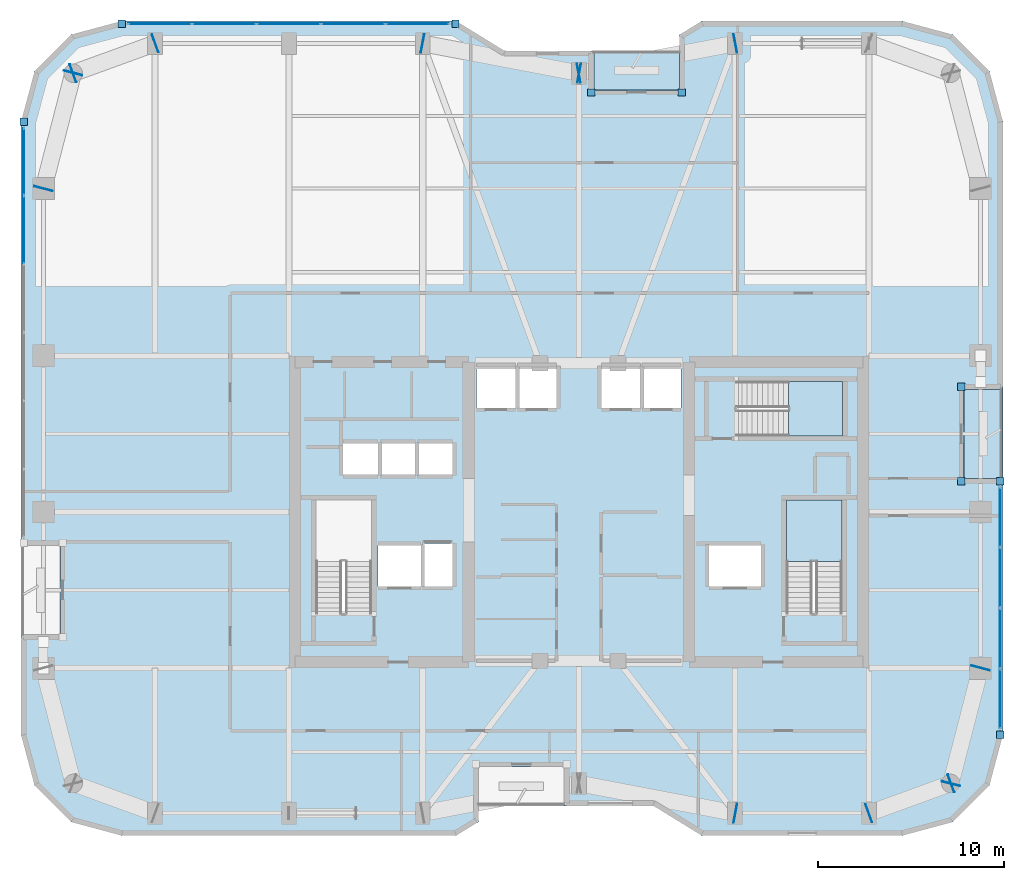
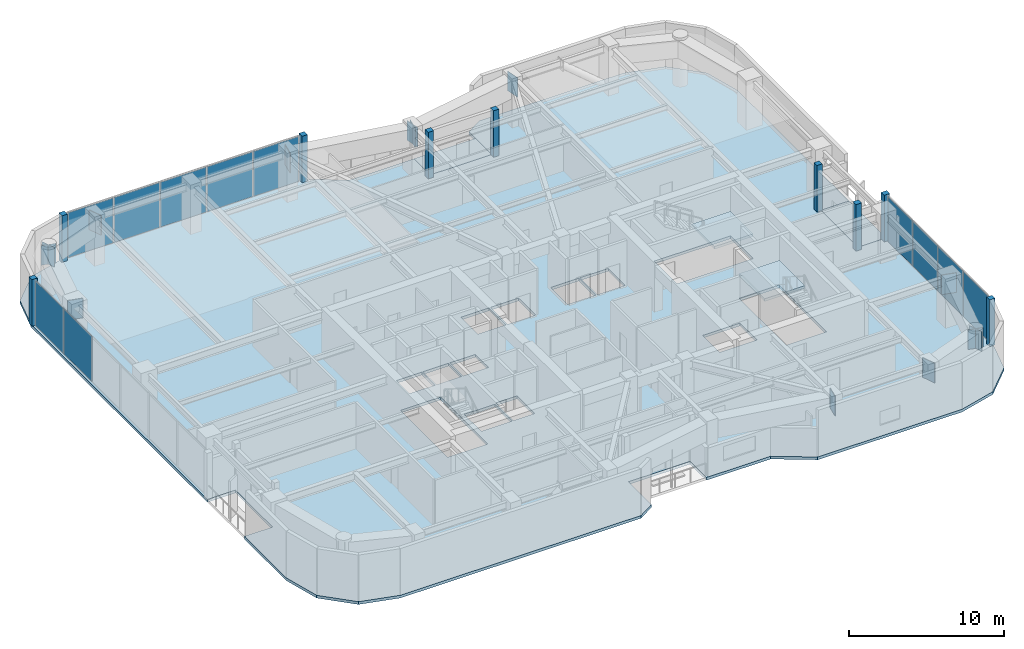
# One storey, part 22 of 30: 33 plates, 5 slabs, 5 elements without a shape of their own.
"""IFC4 building model written with IfcOpenShell, lengths in metres."""

import ifcopenshell
import ifcopenshell.guid

model = None  # the IFC model being written
_history = None  # IfcOwnerHistory: only IFC2X3 demands one
_inside = {}  # id of a spatial element -> (the spatial element, [elements in it])
_under = {}  # id of a project, library or spatial element -> (it, [spatial elements below it])
_declared = {}  # id of a project -> (the project, [libraries it declares])
_typed = {}  # id of a type object -> (the type object, [elements of that type])
_made_of = {}  # id of a material, layer set ... -> (it, [elements and type objects made of it])


def new_model(schema):
    """Start an empty IFC model of exactly this schema.

    Asked for "IFC4X3", IfcOpenShell would pick the latest addendum, in which some entities
    have other attributes; the version numbers below select the first issue.
    IFC2X3 requires an IfcOwnerHistory on every rooted entity: one is made here for all.
    """
    global model, _history
    if schema == "IFC4X3":
        model = ifcopenshell.file(schema_version=(4, 3, 0, 0))
    else:
        model = ifcopenshell.file(schema=schema)
    _inside.clear()
    _under.clear()
    _declared.clear()
    _typed.clear()
    _made_of.clear()
    _history = None
    if model.schema == "IFC2X3":
        org = make("IfcOrganization", Name="unknown")
        user = make(
            "IfcPersonAndOrganization",
            ThePerson=make("IfcPerson", FamilyName="unknown"),
            TheOrganization=org,
        )
        app = make(
            "IfcApplication",
            ApplicationDeveloper=org,
            Version="unknown",
            ApplicationFullName="unknown",
            ApplicationIdentifier="unknown",
        )
        _history = make(
            "IfcOwnerHistory",
            OwningUser=user,
            OwningApplication=app,
            ChangeAction="ADDED",
            CreationDate=0,
        )
    return model


def make(cls, **values):
    """One entity of the class cls with the attributes given. An attribute that is None is left unset."""
    return model.create_entity(
        cls, **{name: value for name, value in values.items() if value is not None}
    )


def rooted(cls, **values):
    """An entity with a GlobalId (a new one), such as an element, a storey or a relation."""
    return make(cls, GlobalId=ifcopenshell.guid.new(), OwnerHistory=_history, **values)


def si_unit(unit_type, name, prefix=None):
    """IfcSIUnit, for example si_unit("LENGTHUNIT", "METRE", prefix="MILLI")."""
    return make("IfcSIUnit", UnitType=unit_type, Prefix=prefix, Name=name)


def assignment(units):
    """IfcUnitAssignment: the units of a project."""
    return None if units is None else make("IfcUnitAssignment", Units=units)


def point(xyz):
    """IfcCartesianPoint."""
    return None if xyz is None else make("IfcCartesianPoint", Coordinates=xyz)


def direction(xyz):
    """IfcDirection."""
    return None if xyz is None else make("IfcDirection", DirectionRatios=xyz)


def frame(location, z_axis=None, x_axis=None):
    """IfcAxis2Placement3D, a coordinate frame: its origin and axes. An axis left out is left unset."""
    return make(
        "IfcAxis2Placement3D",
        Location=point(location),
        Axis=direction(z_axis),
        RefDirection=direction(x_axis),
    )


def frame_2d(location, x_axis=None):
    """IfcAxis2Placement2D, a coordinate frame in the plane: its origin and x axis."""
    return make(
        "IfcAxis2Placement2D", Location=point(location), RefDirection=direction(x_axis)
    )


def origin():
    """The frame at (0, 0, 0) with its axes left unset."""
    return frame((0.0, 0.0, 0.0))


def origin_2d():
    """The frame at (0, 0) in the plane with its x axis left unset."""
    return frame_2d((0.0, 0.0))


def place(relative_to, where):
    """IfcLocalPlacement: puts the frame where relative to a parent placement (None: the world)."""
    return make(
        "IfcLocalPlacement", PlacementRelTo=relative_to, RelativePlacement=where
    )


def context(
    kind, dimensions, precision=None, world=None, true_north=None, identifier=None
):
    """IfcGeometricRepresentationContext, for example the 3D "Model" context."""
    return make(
        "IfcGeometricRepresentationContext",
        ContextIdentifier=identifier,
        ContextType=kind,
        CoordinateSpaceDimension=dimensions,
        Precision=precision,
        WorldCoordinateSystem=world,
        TrueNorth=true_north,
    )


def subcontext(parent, identifier, kind, view, scale=None):
    """IfcGeometricRepresentationSubContext, for example "Body" below "Model"."""
    return make(
        "IfcGeometricRepresentationSubContext",
        ContextIdentifier=identifier,
        ContextType=kind,
        ParentContext=parent,
        TargetScale=scale,
        TargetView=view,
    )


def project(units=None, contexts=None):
    """IfcProject with its units and contexts."""
    return rooted(
        "IfcProject",
        Name="project",
        RepresentationContexts=contexts,
        UnitsInContext=assignment(units),
    )


def spatial(cls, under=None, at=None, **own):
    """A site, building, storey or space (cls), placed at a placement, below another one or the project."""
    s = rooted(cls, ObjectPlacement=at, **own)
    if under is not None:
        _under.setdefault(under.id(), (under, []))[1].append(s)
    return s


def polyline(points):
    """IfcPolyline through the points."""
    return make("IfcPolyline", Points=[point(p) for p in points])


def profile(cls, at=None, kind="AREA", **sizes):
    """A parametric profile (cls). Its sizes go by their IFC names, for example OverallWidth=200.0."""
    return make(cls, ProfileType=kind, Position=at, **sizes)


def rectangle(**sizes):
    """IfcRectangleProfileDef."""
    return profile("IfcRectangleProfileDef", **sizes)


def outline(outer, holes=None, kind="AREA"):
    """IfcArbitraryClosedProfileDef: a profile drawn as a closed curve; with holes, ...WithVoids."""
    if holes is None:
        return make("IfcArbitraryClosedProfileDef", ProfileType=kind, OuterCurve=outer)
    return make(
        "IfcArbitraryProfileDefWithVoids",
        ProfileType=kind,
        OuterCurve=outer,
        InnerCurves=holes,
    )


def extrude(swept, where, along, depth):
    """IfcExtrudedAreaSolid: the profile swept, set in the frame where, extruded along a direction by depth."""
    return make(
        "IfcExtrudedAreaSolid",
        SweptArea=swept,
        Position=where,
        ExtrudedDirection=direction(along),
        Depth=depth,
    )


def shape(context_of_items, identifier, shape_type, items):
    """IfcShapeRepresentation: the items that make up one representation, for example the "Body"."""
    return make(
        "IfcShapeRepresentation",
        ContextOfItems=context_of_items,
        RepresentationIdentifier=identifier,
        RepresentationType=shape_type,
        Items=items,
    )


def material(Name=None, Category=None):
    """IfcMaterial."""
    return make("IfcMaterial", Name=Name, Category=Category)


def layer(
    of_material, thickness, ventilated=None, Name=None, Category=None, Priority=None
):
    """IfcMaterialLayer: one layer of a wall or slab, of a material (None: an air gap)."""
    return make(
        "IfcMaterialLayer",
        Material=of_material,
        LayerThickness=thickness,
        IsVentilated=ventilated,
        Name=Name,
        Category=Category,
        Priority=Priority,
    )


def layer_set(layers, Name=None):
    """IfcMaterialLayerSet."""
    return make("IfcMaterialLayerSet", MaterialLayers=layers, LayerSetName=Name)


def made_of(thing, what):
    """Note that an element or type object is made of a material, layer set ...; save() writes the relation."""
    if what is not None:
        _made_of.setdefault(what.id(), (what, []))[1].append(thing)
    return thing


def type_object(cls, material=None, **own):
    """A type object (cls), such as IfcWallType, which elements share."""
    return made_of(rooted(cls, **own), material)


def element(
    cls,
    number,
    at=None,
    inside=None,
    cuts=None,
    type_object=None,
    material=None,
    context=None,
    identifier="Body",
    shape_type=None,
    held_by="IfcProductDefinitionShape",
    body=None,
    shapes=None,
    **own,
):
    """One element of the class cls, such as IfcWall. Its Tag is "e" and its number.

    at: its placement. inside: the storey or other place that contains it. cuts: it is an
    opening in that element (IfcRelVoidsElement). A single representation is given by context,
    identifier, shape_type and body (its items); several are given by shapes. held_by: the class
    of the entity that holds the representations. save() writes the other relations.
    """
    e = rooted(cls, Tag="e%d" % number, ObjectPlacement=at, **own)
    if body is not None:
        shapes = [shape(context, identifier, shape_type, body)]
    if shapes is not None:
        e.Representation = make(held_by, Representations=shapes)
    if inside is not None:
        _inside.setdefault(inside.id(), (inside, []))[1].append(e)
    if cuts is not None:
        rooted(
            "IfcRelVoidsElement", RelatingBuildingElement=cuts, RelatedOpeningElement=e
        )
    if type_object is not None:
        _typed.setdefault(type_object.id(), (type_object, []))[1].append(e)
    return made_of(e, material)


def aggregate(whole, parts):
    """IfcRelAggregates: a whole, such as a stair, and the parts it consists of."""
    return rooted("IfcRelAggregates", RelatingObject=whole, RelatedObjects=parts)


def save(model, path):
    """Write the relations noted so far, then the file.

    IfcRelAggregates (storeys below a building ...), IfcRelContainedInSpatialStructure (elements
    in a storey), IfcRelDefinesByType, IfcRelAssociatesMaterial and IfcRelDeclares: one each for
    every whole, place, type object, material and project.
    """
    for whole, parts in _under.values():
        aggregate(whole, parts)
    for where, things in _inside.values():
        rooted(
            "IfcRelContainedInSpatialStructure",
            RelatedElements=things,
            RelatingStructure=where,
        )
    for kind, things in _typed.values():
        rooted("IfcRelDefinesByType", RelatedObjects=things, RelatingType=kind)
    for what, things in _made_of.values():
        rooted("IfcRelAssociatesMaterial", RelatedObjects=things, RelatingMaterial=what)
    for by, libraries in _declared.values():
        rooted("IfcRelDeclares", RelatingContext=by, RelatedDefinitions=libraries)
    model.write(path)


model = new_model("IFC4")

# Units and contexts
model_context = context("Model", 3, precision=1e-05, world=origin(), true_north=direction((0.0, 1.0)))
body_context = subcontext(model_context, "Body", "Model", "MODEL_VIEW")
ifc_project = project(units=[si_unit("LENGTHUNIT", "METRE"), si_unit("AREAUNIT", "SQUARE_METRE"), si_unit("VOLUMEUNIT", "CUBIC_METRE"), si_unit("PLANEANGLEUNIT", "RADIAN"), si_unit("MASSUNIT", "GRAM", prefix="KILO")], contexts=[model_context])

# Site, building, storey
site_placement = place(None, origin())
site = spatial("IfcSite", under=ifc_project, at=site_placement, CompositionType="ELEMENT")
building_placement = place(site_placement, origin())
building = spatial("IfcBuilding", under=site, at=building_placement, Name="Kiyonajd Concourse Tower", CompositionType="ELEMENT")
storey_placement = place(building_placement, frame((0.0, 0.0, 194.10009765625)))
storey = spatial("IfcBuildingStorey", under=building, at=storey_placement, Name="L49", CompositionType="ELEMENT", Elevation=194.10009765625)

# Plates
ifc_material_1 = material(Name="Steel ASTM A572 Grade 50", Category="steel")
ifc_layer_1 = layer(ifc_material_1, 0.031982421875)
ifc_layer_set_1 = layer_set([ifc_layer_1], Name="Steel ASTM A572 Grade 50")
plate_type_1 = type_object("IfcPlateType", Name="PL-CAP-540", PredefinedType="USERDEFINED", material=ifc_layer_set_1)
for number, where, z_axis, x_axis, name in (
    (1, (56.410888671875, 19.7978515625, 2.2099609375), (0.0, 0.0, 1.0), (0.982352599301, -0.187038420242, 0.0), "L49 Welded Box Girder End Cap"),
    (2, (63.589599609375, 19.796142578125, 2.2099609375), (0.0, 0.0, 1.0), (-0.939811951086, -0.341692107891, 0.0), "L49 Welded Box Girder End Cap"),
    (3, (68.01025390625, 21.40380859375, 2.2099609375), (0.0, 0.0, 1.0), (0.939811951086, 0.341692107891, 0.0), "L49 Welded Box Girder End Cap"),
    (4, (67.997314453125, 21.389404296875, 2.2099609375), (0.0, 0.0, 1.0), (-0.249873048837, -0.968278606324, 0.0), "L49 Welded Box Girder End Cap"),
    (5, (69.602783203125, 27.610595703125, 2.2099609375), (0.0, 0.0, 1.0), (0.249873048837, 0.968278606324, 0.0), "L49 Welded Box Girder End Cap"),
    (6, (56.410888671875, 61.2021484375, 2.2099609375), (0.0, 0.0, 1.0), (0.982352599301, 0.187038420242, 0.0), "L49 Welded Box Girder End Cap"),
    (7, (47.9892578125, 59.597900390625, 2.2099609375), (0.0, 0.0, 1.0), (-0.982352599301, -0.187038420242, 0.0), "L49 Welded Box Girder End Cap"),
    (8, (48.0107421875, 59.597900390625, 2.2099609375), (0.0, 0.0, 1.0), (0.982352599301, -0.187038420242, 0.0), "L49 Welded Box Girder End Cap"),
    (9, (39.589111328125, 61.2021484375, 2.2099609375), (0.0, 0.0, 1.0), (-0.982352599301, 0.187038420242, 0.0), "L49 Welded Box Girder End Cap"),
    (10, (25.210205078125, 61.203857421875, 2.2099609375), (0.0, 0.0, 1.0), (0.939811951086, 0.341692107891, 0.0), "L49 Welded Box Girder End Cap"),
    (11, (20.789794921875, 59.59619140625, 2.2099609375), (0.0, 0.0, 1.0), (-0.939811951086, -0.341692107891, 0.0), "L49 Welded Box Girder End Cap"),
    (12, (20.802734375, 59.610595703125, 2.2099609375), (0.0, 0.0, 1.0), (0.249873048837, 0.968278606324, 0.0), "L49 Welded Box Girder End Cap"),
    (13, (19.197265625, 53.389404296875, 2.2099609375), (0.0, 0.0, 1.0), (-0.249873048837, -0.968278606324, 0.0), "L49 Welded Box Girder End Cap"),
):
    element("IfcPlate", number, at=place(storey_placement, frame(where, z_axis=z_axis, x_axis=x_axis)), inside=storey, type_object=plate_type_1, Name=name, ObjectType="CAP PLATE", PredefinedType="USERDEFINED", context=body_context, shape_type="SweptSolid", body=[
        extrude(rectangle(XDim=0.035888671875, YDim=1.02001953125, at=origin_2d()), origin(), (0.0, 0.0, 1.0), 1.5400390625),
    ])

# Curtain wall, plates
ifc_material_2 = material(Name="Thermally Broken Anodised Aluminium", Category="aluminium")
ifc_layer_2 = layer(ifc_material_2, 0.179931640625)
ifc_layer_set_2 = layer_set([ifc_layer_2], Name="Thermally Broken Anodised Aluminium")
curtain_wall_type = type_object("IfcCurtainWallType", Name="CW-SYS-03", PredefinedType="NOTDEFINED", material=ifc_layer_set_2)
curtain_wall_1_placement = place(storey_placement, origin())
curtain_wall_1 = element("IfcCurtainWall", 14, at=curtain_wall_1_placement, inside=storey, type_object=curtain_wall_type, Name="L49 Unitised Curtain Wall CW3", PredefinedType="NOTDEFINED")
ifc_material_3 = material(Name="Double Low-E Insulated Glass", Category="glass")
ifc_layer_3 = layer(ifc_material_3, 0.033935546875)
ifc_layer_set_3 = layer_set([ifc_layer_3], Name="Double Low-E Insulated Glass")
plate_type_2 = type_object("IfcPlateType", Name="PL-CW-VIS34", PredefinedType="CURTAIN_PANEL", material=ifc_layer_set_3)
plate_1_placement = place(storey_placement, frame((18.139892578125, 51.17626953125, 0.06494140625), z_axis=(0.0, 0.0, 1.0), x_axis=(0.0, 1.0, 0.0)))
plate_1 = element("IfcPlate", 15, at=plate_1_placement, type_object=plate_type_2, Name="CW3 panel 5.1", PredefinedType="CURTAIN_PANEL", context=body_context, shape_type="SweptSolid", body=[
    extrude(rectangle(XDim=3.61181640625, YDim=0.033935546875, at=origin_2d()), origin(), (0.0, 0.0, 1.0), 3.550048828125),
])
plate_2_placement = place(storey_placement, frame((18.139892578125, 54.8369140625, 0.06494140625), z_axis=(0.0, 0.0, 1.0), x_axis=(0.0, 1.0, 0.0)))
plate_2 = element("IfcPlate", 16, at=plate_2_placement, type_object=plate_type_2, Name="CW3 panel 6.1", PredefinedType="CURTAIN_PANEL", context=body_context, shape_type="SweptSolid", body=[
    extrude(rectangle(XDim=3.579345703125, YDim=0.033935546875, at=origin_2d()), origin(), (0.0, 0.0, 1.0), 3.550048828125),
])
aggregate(curtain_wall_1, [plate_1, plate_2])

curtain_wall_2_placement = place(storey_placement, origin())
curtain_wall_2 = element("IfcCurtainWall", 17, at=curtain_wall_2_placement, inside=storey, type_object=curtain_wall_type, Name="L49 Unitised Curtain Wall CW3", PredefinedType="NOTDEFINED")
plate_3_placement = place(storey_placement, frame((25.4609375, 62.260009765625, 0.06494140625), z_axis=(0.0, 0.0, 1.0), x_axis=(1.0, 0.0, 0.0)))
plate_3 = element("IfcPlate", 18, at=plate_3_placement, type_object=plate_type_2, Name="CW3 panel 1.1", PredefinedType="CURTAIN_PANEL", context=body_context, shape_type="SweptSolid", body=[
    extrude(rectangle(XDim=3.375, YDim=0.033935546875, at=origin_2d()), origin(), (0.0, 0.0, 1.0), 3.550048828125),
])
plate_4_placement = place(storey_placement, frame((28.9169921875, 62.260009765625, 0.06494140625), z_axis=(0.0, 0.0, 1.0), x_axis=(1.0, 0.0, 0.0)))
plate_4 = element("IfcPlate", 19, at=plate_4_placement, type_object=plate_type_2, Name="CW3 panel 2.1", PredefinedType="CURTAIN_PANEL", context=body_context, shape_type="SweptSolid", body=[
    extrude(rectangle(XDim=3.407470703125, YDim=0.033935546875, at=origin_2d()), origin(), (0.0, 0.0, 1.0), 3.550048828125),
])
plate_5_placement = place(storey_placement, frame((32.389404296875, 62.260009765625, 0.06494140625), z_axis=(0.0, 0.0, 1.0), x_axis=(1.0, 0.0, 0.0)))
plate_5 = element("IfcPlate", 20, at=plate_5_placement, type_object=plate_type_2, Name="CW3 panel 3.1", PredefinedType="CURTAIN_PANEL", context=body_context, shape_type="SweptSolid", body=[
    extrude(rectangle(XDim=3.407470703125, YDim=0.033935546875, at=origin_2d()), origin(), (0.0, 0.0, 1.0), 3.550048828125),
])
plate_6_placement = place(storey_placement, frame((35.86181640625, 62.260009765625, 0.06494140625), z_axis=(0.0, 0.0, 1.0), x_axis=(1.0, 0.0, 0.0)))
plate_6 = element("IfcPlate", 21, at=plate_6_placement, type_object=plate_type_2, Name="CW3 panel 4.1", PredefinedType="CURTAIN_PANEL", context=body_context, shape_type="SweptSolid", body=[
    extrude(rectangle(XDim=3.407470703125, YDim=0.033935546875, at=origin_2d()), origin(), (0.0, 0.0, 1.0), 3.550048828125),
])
plate_7_placement = place(storey_placement, frame((39.31787109375, 62.260009765625, 0.06494140625), z_axis=(0.0, 0.0, 1.0), x_axis=(1.0, 0.0, 0.0)))
plate_7 = element("IfcPlate", 22, at=plate_7_placement, type_object=plate_type_2, Name="CW3 panel 5.1", PredefinedType="CURTAIN_PANEL", context=body_context, shape_type="SweptSolid", body=[
    extrude(rectangle(XDim=3.375, YDim=0.033935546875, at=origin_2d()), origin(), (0.0, 0.0, 1.0), 3.550048828125),
])
aggregate(curtain_wall_2, [plate_3, plate_4, plate_5, plate_6, plate_7])

curtain_wall_3_placement = place(storey_placement, origin())
curtain_wall_3 = element("IfcCurtainWall", 23, at=curtain_wall_3_placement, inside=storey, type_object=curtain_wall_type, Name="L49 Unitised Curtain Wall CW3", PredefinedType="NOTDEFINED")
plate_8_placement = place(storey_placement, frame((70.659912109375, 35.720947265625, 0.06494140625), z_axis=(0.0, 0.0, 1.0), x_axis=(0.0, -1.0, 0.0)))
plate_8 = element("IfcPlate", 24, at=plate_8_placement, type_object=plate_type_2, Name="CW3 panel 1.1", PredefinedType="CURTAIN_PANEL", context=body_context, shape_type="SweptSolid", body=[
    extrude(rectangle(XDim=3.16796875, YDim=0.033935546875, at=origin_2d()), origin(), (0.0, 0.0, 1.0), 3.550048828125),
])
plate_9_placement = place(storey_placement, frame((70.659912109375, 32.471923828125, 0.06494140625), z_axis=(0.0, 0.0, 1.0), x_axis=(0.0, -1.0, 0.0)))
plate_9 = element("IfcPlate", 25, at=plate_9_placement, type_object=plate_type_2, Name="CW3 panel 2.1", PredefinedType="CURTAIN_PANEL", context=body_context, shape_type="SweptSolid", body=[
    extrude(rectangle(XDim=3.200439453125, YDim=0.033935546875, at=origin_2d()), origin(), (0.0, 0.0, 1.0), 3.550048828125),
])
plate_10_placement = place(storey_placement, frame((70.659912109375, 29.20654296875, 0.06494140625), z_axis=(0.0, 0.0, 1.0), x_axis=(0.0, -1.0, 0.0)))
plate_10 = element("IfcPlate", 26, at=plate_10_placement, type_object=plate_type_2, Name="CW3 panel 3.1", PredefinedType="CURTAIN_PANEL", context=body_context, shape_type="SweptSolid", body=[
    extrude(rectangle(XDim=3.200439453125, YDim=0.033935546875, at=origin_2d()), origin(), (0.0, 0.0, 1.0), 3.550048828125),
])
plate_11_placement = place(storey_placement, frame((70.659912109375, 25.957275390625, 0.06494140625), z_axis=(0.0, 0.0, 1.0), x_axis=(0.0, -1.0, 0.0)))
plate_11 = element("IfcPlate", 27, at=plate_11_placement, type_object=plate_type_2, Name="CW3 panel 4.1", PredefinedType="CURTAIN_PANEL", context=body_context, shape_type="SweptSolid", body=[
    extrude(rectangle(XDim=3.16796875, YDim=0.033935546875, at=origin_2d()), origin(), (0.0, 0.0, 1.0), 3.550048828125),
])
aggregate(curtain_wall_3, [plate_8, plate_9, plate_10, plate_11])

# Plates
ifc_layer_4 = layer(ifc_material_2, 0.39990234375)
ifc_layer_set_4 = layer_set([ifc_layer_4], Name="Thermally Broken Anodised Aluminium")
plate_type_3 = type_object("IfcPlateType", Name="PL-JMB-400", PredefinedType="USERDEFINED", material=ifc_layer_set_4)
for number, where, z_axis, x_axis, name in (
    (28, (18.139892578125, 56.981689453125, 0.0), (0.0, 0.0, 1.0), (1.0, 0.0, 0.0), "L49 Facade Jamb Closure Plate 04"),
    (29, (23.41845703125, 62.260009765625, 0.0), (0.0, 0.0, 1.0), (1.0, 0.0, 0.0), "L49 Facade Jamb Closure Plate 05"),
    (30, (41.3603515625, 62.260009765625, 0.0), (0.0, 0.0, 1.0), (1.0, 0.0, 0.0), "L49 Facade Jamb Closure Plate 06"),
    (31, (48.659912109375, 58.56005859375, 0.0), (0.0, 0.0, 1.0), (1.0, 0.0, 0.0), "L49 Facade Jamb Closure Plate 07"),
    (32, (53.5400390625, 58.56005859375, 0.0), (0.0, 0.0, 1.0), (1.0, 0.0, 0.0), "L49 Facade Jamb Closure Plate 08"),
    (33, (68.56005859375, 42.739990234375, 0.0), (0.0, 0.0, 1.0), (1.0, 0.0, 0.0), "L49 Facade Jamb Closure Plate 09"),
    (34, (68.56005859375, 37.659912109375, 0.0), (0.0, 0.0, 1.0), (1.0, 0.0, 0.0), "L49 Facade Jamb Closure Plate 10"),
    (35, (70.659912109375, 37.659912109375, 0.0), (0.0, 0.0, 1.0), (1.0, 0.0, 0.0), "L49 Facade Jamb Closure Plate 11"),
    (36, (70.659912109375, 24.018310546875, 0.0), (0.0, 0.0, 1.0), (1.0, 0.0, 0.0), "L49 Facade Jamb Closure Plate 12"),
):
    element("IfcPlate", number, at=place(storey_placement, frame(where, z_axis=z_axis, x_axis=x_axis)), inside=storey, type_object=plate_type_3, Name=name, ObjectType="JAMB PLATE", PredefinedType="USERDEFINED", context=body_context, shape_type="SweptSolid", body=[
        extrude(rectangle(XDim=0.39990234375, YDim=0.39990234375, at=origin_2d()), origin(), (0.0, 0.0, 1.0), 3.679931640625),
    ])

# Stair, slab
ifc_material_4 = material(Name="Concrete C40/50", Category="concrete")
stair_type = type_object("IfcStairType", Name="ST-DLG-22R", PredefinedType="HALF_TURN_STAIR", material=ifc_material_4)
stair_1_placement = place(storey_placement, origin())
stair_1 = element("IfcStair", 37, at=stair_1_placement, inside=storey, type_object=stair_type, Name="L49 Protected Exit Stair ST2", PredefinedType="HALF_TURN_STAIR")
ifc_layer_5 = layer(ifc_material_4, 0.199951171875)
ifc_layer_set_5 = layer_set([ifc_layer_5], Name="Concrete C40/50")
slab_type_1 = type_object("IfcSlabType", Name="SL-LND-200", PredefinedType="LANDING", material=ifc_layer_set_5)
slab_1_placement = place(storey_placement, frame((0.0, 0.0, 1.75)))
slab_1 = element("IfcSlab", 38, at=slab_1_placement, type_object=slab_type_1, Name="ST2 landing 1", PredefinedType="LANDING", context=body_context, shape_type="SweptSolid", body=[
    extrude(outline(polyline([(62.14990234375, 33.35009765625), (62.14990234375, 36.64990234375), (59.14990234375, 36.64990234375), (59.14990234375, 33.35009765625), (62.14990234375, 33.35009765625)])), origin(), (0.0, 0.0, 1.0), 0.199951171875),
])
aggregate(stair_1, [slab_1])

stair_2_placement = place(storey_placement, origin())
stair_2 = element("IfcStair", 39, at=stair_2_placement, inside=storey, type_object=stair_type, Name="L49 Protected Exit Stair ST3", PredefinedType="HALF_TURN_STAIR")
slab_2_placement = place(storey_placement, frame((0.0, 0.0, 1.75)))
slab_2 = element("IfcSlab", 40, at=slab_2_placement, type_object=slab_type_1, Name="ST3 landing 1", PredefinedType="LANDING", context=body_context, shape_type="SweptSolid", body=[
    extrude(outline(polyline([(59.280029296875, 40.080078125), (62.179931640625, 40.080078125), (62.179931640625, 43.02001953125), (59.280029296875, 43.02001953125), (59.280029296875, 40.080078125)])), origin(), (0.0, 0.0, 1.0), 0.199951171875),
])
aggregate(stair_2, [slab_2])

# Slabs
ifc_material_5 = material(Name="Precast concrete C50/60", Category="concrete")
ifc_layer_6 = layer(ifc_material_5, 0.199951171875)
ifc_layer_set_6 = layer_set([ifc_layer_6], Name="Precast concrete C50/60")
slab_type_2 = type_object("IfcSlabType", Name="SL-LOG-200", PredefinedType="FLOOR", material=ifc_layer_set_6)
slab_3_placement = place(storey_placement, frame((0.0, 0.0, -0.2001953125)))
element("IfcSlab", 41, at=slab_3_placement, inside=storey, type_object=slab_type_2, Name="L49 Recessed Engawa Loggia Terrace Slab LOG-N", PredefinedType="FLOOR", context=body_context, shape_type="SweptSolid", body=[
    extrude(outline(polyline([(48.800048828125, 58.699951171875), (53.39990234375, 58.699951171875), (53.39990234375, 60.800048828125), (48.800048828125, 60.800048828125), (48.800048828125, 58.699951171875)])), origin(), (0.0, 0.0, 1.0), 0.2001953125),
])
slab_4_placement = place(storey_placement, frame((0.0, 0.0, -0.2001953125)))
element("IfcSlab", 42, at=slab_4_placement, inside=storey, type_object=slab_type_2, Name="L49 Recessed Engawa Loggia Terrace Slab LOG-E", PredefinedType="FLOOR", context=body_context, shape_type="SweptSolid", body=[
    extrude(outline(polyline([(68.699951171875, 37.800048828125), (70.800048828125, 37.800048828125), (70.800048828125, 42.60009765625), (68.699951171875, 42.60009765625), (68.699951171875, 37.800048828125)])), origin(), (0.0, 0.0, 1.0), 0.2001953125),
])
ifc_layer_7 = layer(ifc_material_4, 0.219970703125)
ifc_layer_set_7 = layer_set([ifc_layer_7], Name="Concrete C40/50")
slab_type_3 = type_object("IfcSlabType", Name="SL-TWR-220", PredefinedType="FLOOR", material=ifc_layer_set_7)
slab_5_placement = place(storey_placement, frame((0.0, 0.0, -0.22021484375)))
element("IfcSlab", 43, at=slab_5_placement, inside=storey, type_object=slab_type_3, Name="L49 Tower Conditioned Floor Slab", PredefinedType="FLOOR", context=body_context, shape_type="SweptSolid", body=[
    extrude(outline(polyline([(18.722900390625, 21.300048828125), (18.0, 24.0), (18.0, 29.39990234375), (20.10009765625, 29.39990234375), (20.10009765625, 34.199951171875), (18.0, 34.199951171875), (18.0, 57.0), (18.722900390625, 59.699951171875), (20.699951171875, 61.677001953125), (23.39990234375, 62.39990234375), (41.39990234375, 62.39990234375), (44.0, 60.800048828125), (48.800048828125, 60.800048828125), (48.800048828125, 58.699951171875), (53.39990234375, 58.699951171875), (53.39990234375, 61.662109375), (54.60009765625, 62.39990234375), (65.39990234375, 62.39990234375), (68.10009765625, 61.677001953125), (70.076904296875, 59.699951171875), (70.800048828125, 57.0), (70.800048828125, 42.60009765625), (68.699951171875, 42.60009765625), (68.699951171875, 37.800048828125), (70.800048828125, 37.800048828125), (70.800048828125, 24.0), (70.076904296875, 21.300048828125), (68.10009765625, 19.322998046875), (65.39990234375, 18.60009765625), (54.60009765625, 18.60009765625), (52.0, 20.199951171875), (47.199951171875, 20.199951171875), (47.199951171875, 22.300048828125), (42.60009765625, 22.300048828125), (42.60009765625, 19.337890625), (41.39990234375, 18.60009765625), (23.39990234375, 18.60009765625), (20.699951171875, 19.322998046875), (18.722900390625, 21.300048828125)]), holes=[polyline([(39.5, 32.0), (37.199951171875, 32.0), (37.199951171875, 34.199951171875), (39.5, 34.199951171875), (39.5, 32.0)]), polyline([(39.60009765625, 32.0), (39.60009765625, 34.300048828125), (41.199951171875, 34.300048828125), (41.199951171875, 32.0), (39.60009765625, 32.0)]), polyline([(33.85009765625, 30.550048828125), (33.85009765625, 36.64990234375), (36.85009765625, 36.64990234375), (36.85009765625, 30.550048828125), (33.85009765625, 30.550048828125)]), polyline([(37.199951171875, 38.0), (35.300048828125, 38.0), (35.300048828125, 39.699951171875), (37.199951171875, 39.699951171875), (37.199951171875, 38.0)]), polyline([(37.300048828125, 38.0), (37.300048828125, 39.699951171875), (39.199951171875, 39.699951171875), (39.199951171875, 38.0), (37.300048828125, 38.0)]), polyline([(39.300048828125, 38.0), (39.300048828125, 39.699951171875), (41.199951171875, 39.699951171875), (41.199951171875, 38.0), (39.300048828125, 38.0)]), polyline([(44.60009765625, 41.60009765625), (42.5, 41.60009765625), (42.5, 43.800048828125), (44.60009765625, 43.800048828125), (44.60009765625, 41.60009765625)]), polyline([(55.0, 32.0), (55.0, 34.199951171875), (57.800048828125, 34.199951171875), (57.800048828125, 32.0), (55.0, 32.0)]), polyline([(59.14990234375, 30.550048828125), (59.14990234375, 36.64990234375), (62.14990234375, 36.64990234375), (62.14990234375, 30.550048828125), (59.14990234375, 30.550048828125)]), polyline([(56.47998046875, 43.02001953125), (62.179931640625, 43.02001953125), (62.179931640625, 40.080078125), (56.47998046875, 40.080078125), (56.47998046875, 43.02001953125)]), polyline([(44.699951171875, 41.60009765625), (44.699951171875, 43.800048828125), (46.800048828125, 43.800048828125), (46.800048828125, 41.60009765625), (44.699951171875, 41.60009765625)]), polyline([(49.199951171875, 41.60009765625), (49.199951171875, 43.800048828125), (51.300048828125, 43.800048828125), (51.300048828125, 41.60009765625), (49.199951171875, 41.60009765625)]), polyline([(51.39990234375, 41.60009765625), (51.39990234375, 43.800048828125), (53.5, 43.800048828125), (53.5, 41.60009765625), (51.39990234375, 41.60009765625)])]), origin(), (0.0, 0.0, 1.0), 0.22021484375),
])

save(model, "model.ifc")
